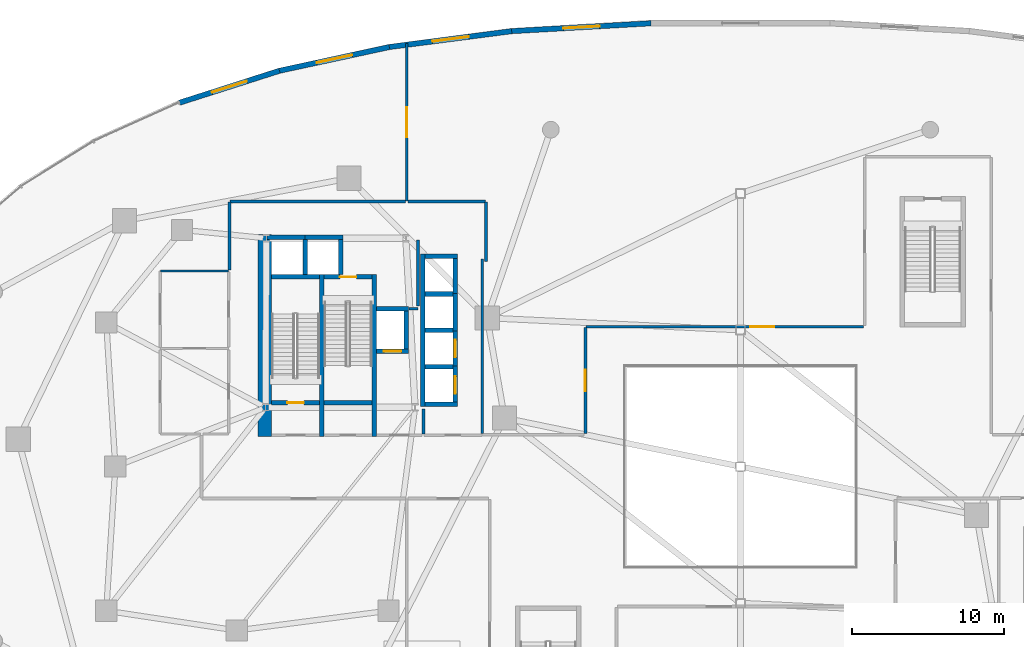
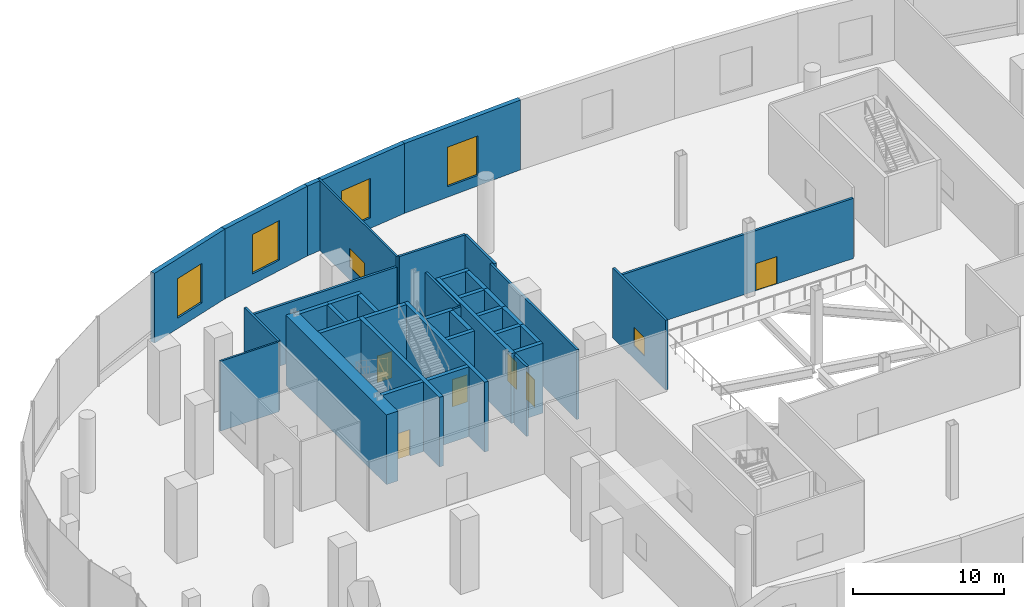
# One storey, part 13 of 20: 40 walls, 6 doors, 6 windows, 12 openings.
"""IFC4 building model written with IfcOpenShell, lengths in metres."""

from ifc_helpers import new_model, si_unit, direction, frame, frame_2d, origin, place, context, subcontext, project, spatial, rectangle, extrude, material, layer, layer_set, type_object, element, fill, save


model = new_model("IFC4")

# Units and contexts
model_context = context("Model", 3, precision=1e-05, world=origin(), true_north=direction((0.0, 1.0)))
body_context = subcontext(model_context, "Body", "Model", "MODEL_VIEW")
ifc_project = project(units=[si_unit("LENGTHUNIT", "METRE"), si_unit("AREAUNIT", "SQUARE_METRE"), si_unit("VOLUMEUNIT", "CUBIC_METRE"), si_unit("PLANEANGLEUNIT", "RADIAN"), si_unit("MASSUNIT", "GRAM", prefix="KILO"), si_unit("THERMODYNAMICTEMPERATUREUNIT", "KELVIN"), si_unit("POWERUNIT", "WATT")], contexts=[model_context])

# Site, building, storey
site_placement = place(None, origin())
site = spatial("IfcSite", under=ifc_project, at=site_placement, CompositionType="ELEMENT")
building_placement = place(site_placement, origin())
building = spatial("IfcBuilding", under=site, at=building_placement, Name="Cundina Bronze Exchange", CompositionType="ELEMENT")
storey_placement = place(building_placement, frame((0.0, 0.0, 6.0)))
storey = spatial("IfcBuildingStorey", under=building, at=storey_placement, Name="L01", CompositionType="ELEMENT", Elevation=6.0)

# Walls
ifc_material_1 = material(Name="Gypsum Fireboard Partition EI120")
ifc_layer_1 = layer(ifc_material_1, 0.179931640625, Name="Gypsum Fireboard Partition EI120")
ifc_layer_set_1 = layer_set([ifc_layer_1], Name="Gypsum Fireboard Partition EI120")
wall_type_1 = type_object("IfcWallType", Name="WL-COR-180", PredefinedType="PARTITIONING", material=ifc_layer_set_1)
wall_1_placement = place(storey_placement, frame((-20.889892578125, 2.14990234375, 0.0), z_axis=(0.0, 0.0, 1.0), x_axis=(0.0, 1.0, 0.0)))
element("IfcWall", 1, at=wall_1_placement, inside=storey, type_object=wall_type_1, Name="L01 W Firefighting Lobby Side Wall", PredefinedType="PARTITIONING", context=body_context, shape_type="SweptSolid", body=[
    extrude(rectangle(XDim=1.650146484375, YDim=0.179931640625, at=frame_2d((0.8251953125, 0.0))), origin(), (0.0, 0.0, 1.0), 5.64990234375),
])
wall_2_placement = place(storey_placement, frame((-17.02001953125, 2.169921875, 0.0), z_axis=(0.0, 0.0, 1.0), x_axis=(0.0, 1.0, 0.0)))
element("IfcWall", 2, at=wall_2_placement, inside=storey, type_object=wall_type_1, Name="L01 Interior Partition 001", PredefinedType="PARTITIONING", context=body_context, shape_type="SweptSolid", body=[
    extrude(rectangle(XDim=11.510009765625, YDim=0.179931640625, at=frame_2d((5.7548828125, 0.0))), origin(), (0.0, 0.0, 1.0), 5.64990234375),
])
wall_3_placement = place(storey_placement, frame((-21.25, 10.570068359375, 0.0), z_axis=(0.0, 0.0, 1.0), x_axis=(0.0, 1.0, 0.0)))
element("IfcWall", 3, at=wall_3_placement, inside=storey, type_object=wall_type_1, Name="L01 Interior Partition 004", PredefinedType="PARTITIONING", context=body_context, shape_type="SweptSolid", body=[
    extrude(rectangle(XDim=4.35986328125, YDim=0.179931640625, at=frame_2d((2.179931640625, 0.0))), origin(), (0.0, 0.0, 1.0), 5.64990234375),
])
wall_4_placement = place(storey_placement, frame((-22.094970703125, 17.469970703125, 0.0), z_axis=(0.0, 0.0, 1.0), x_axis=(-1.0, 0.0, 0.0)))
element("IfcWall", 4, at=wall_4_placement, inside=storey, type_object=wall_type_1, Name="L01 Interior Partition 033", PredefinedType="PARTITIONING", context=body_context, shape_type="SweptSolid", body=[
    extrude(rectangle(XDim=11.533447265625, YDim=0.179931640625, at=frame_2d((5.7666015625, 0.0))), origin(), (0.0, 0.0, 1.0), 4.876953125),
])
wall_5_placement = place(storey_placement, frame((-33.669921875, 17.428466796875, 0.0), z_axis=(0.0, 0.0, 1.0), x_axis=(0.0, -1.0, 0.0)))
element("IfcWall", 5, at=wall_5_placement, inside=storey, type_object=wall_type_1, Name="L01 Interior Partition 034", PredefinedType="PARTITIONING", context=body_context, shape_type="SweptSolid", body=[
    extrude(rectangle(XDim=4.47705078125, YDim=0.179931640625, at=frame_2d((2.238525390625, 0.0))), origin(), (0.0, 0.0, 1.0), 5.64990234375),
])

# Wall, opening, door
wall_6_placement = place(storey_placement, frame((8.10009765625, 9.219970703125, 0.0), z_axis=(0.0, 0.0, 1.0), x_axis=(-1.0, 0.0, 0.0)))
wall_6 = element("IfcWall", 6, at=wall_6_placement, inside=storey, type_object=wall_type_1, Name="L01 Interior Partition 041", PredefinedType="PARTITIONING", context=body_context, shape_type="SweptSolid", body=[
    extrude(rectangle(XDim=18.278564453125, YDim=0.179931640625, at=frame_2d((9.13916015625, 0.0))), origin(), (0.0, 0.0, 1.0), 4.876953125),
])
opening_1_placement = place(wall_6_placement, frame((5.87353515625, 0.0, 0.0)))
opening_1 = element("IfcOpeningElement", 7, at=opening_1_placement, cuts=wall_6, Name="Opening DO-02", PredefinedType="OPENING", context=body_context, shape_type="SweptSolid", body=[
    extrude(rectangle(XDim=1.60009765625, YDim=2.199951171875, at=frame_2d((0.800048828125, 1.10009765625))), frame((0.0, 0.099853515625, 0.0), z_axis=(0.0, -1.0, 0.0), x_axis=(1.0, 0.0, 0.0)), (0.0, 0.0, 1.0), 0.199951171875),
])
ifc_material_2 = material(Name="Solid Andean Oak Timber Grade A", Category="wood")
door_type_1 = type_object("IfcDoorType", Name="DR-TRD-1600", OperationType="NOTDEFINED", PredefinedType="DOOR", material=ifc_material_2)
door_1_placement = place(opening_1_placement, origin())
door_1 = element("IfcDoor", 8, at=door_1_placement, inside=storey, type_object=door_type_1, Name="L01 Interior Door 041", OperationType="SINGLE_SWING_RIGHT", OverallHeight=2.199951171875, OverallWidth=1.60009765625, PredefinedType="DOOR", context=body_context, shape_type="SweptSolid", body=[
    extrude(rectangle(XDim=1.60009765625, YDim=2.199951171875, at=frame_2d((0.800048828125, 1.10009765625))), frame((0.0, 0.02490234375, 0.0), z_axis=(0.0, -1.0, 0.0), x_axis=(1.0, 0.0, 0.0)), (0.0, 0.0, 1.0), 0.050048828125),
])
fill(opening_1, door_1)

# Wall, opening, window
wall_7_placement = place(storey_placement, frame((-10.219970703125, 9.178466796875, 0.0), z_axis=(0.0, 0.0, 1.0), x_axis=(0.0, -1.0, 0.0)))
wall_7 = element("IfcWall", 9, at=wall_7_placement, inside=storey, type_object=wall_type_1, Name="L01 Interior Partition 045", PredefinedType="PARTITIONING", context=body_context, shape_type="SweptSolid", body=[
    extrude(rectangle(XDim=6.99853515625, YDim=0.179931640625, at=frame_2d((3.499267578125, 0.0))), origin(), (0.0, 0.0, 1.0), 5.64990234375),
])
opening_2_placement = place(wall_7_placement, frame((2.799072265625, 0.0, 1.050048828125)))
opening_2 = element("IfcOpeningElement", 10, at=opening_2_placement, cuts=wall_7, Name="Opening WI-02", PredefinedType="OPENING", context=body_context, shape_type="SweptSolid", body=[
    extrude(rectangle(XDim=1.39990234375, YDim=1.5, at=frame_2d((0.699951171875, 0.75))), frame((0.0, 0.099853515625, 0.0), z_axis=(0.0, -1.0, 0.0), x_axis=(1.0, 0.0, 0.0)), (0.0, 0.0, 1.0), 0.199951171875),
])
ifc_material_3 = material(Name="Clear Low-E Insulating Glass 26mm", Category="glass")
window_type_1 = type_object("IfcWindowType", Name="WN-INT-1400", PartitioningType="SINGLE_PANEL", PredefinedType="WINDOW", material=ifc_material_3)
window_1_placement = place(opening_2_placement, origin())
window_1 = element("IfcWindow", 11, at=window_1_placement, inside=storey, type_object=window_type_1, Name="L01 Interior Acoustic Vision Window 045", OverallHeight=1.5, OverallWidth=1.39990234375, PartitioningType="SINGLE_PANEL", PredefinedType="WINDOW", context=body_context, shape_type="SweptSolid", body=[
    extrude(rectangle(XDim=1.39990234375, YDim=1.5, at=frame_2d((0.699951171875, 0.75))), frame((0.0, 0.030029296875, 0.0), z_axis=(0.0, -1.0, 0.0), x_axis=(1.0, 0.0, 0.0)), (0.0, 0.0, 1.0), 0.06005859375),
])
fill(opening_2, window_1)

# Walls
wall_8_placement = place(storey_placement, frame((-16.821533203125, 17.469970703125, 0.0), z_axis=(0.0, 0.0, 1.0), x_axis=(-1.0, 0.0, 0.0)))
element("IfcWall", 12, at=wall_8_placement, inside=storey, type_object=wall_type_1, Name="L01 Interior Partition 048", PredefinedType="PARTITIONING", context=body_context, shape_type="SweptSolid", body=[
    extrude(rectangle(XDim=5.08349609375, YDim=0.179931640625, at=frame_2d((2.541748046875, 0.0))), origin(), (0.0, 0.0, 1.0), 5.64990234375),
])
wall_9_placement = place(storey_placement, frame((-16.780029296875, 13.521484375, 0.0), z_axis=(0.0, 0.0, 1.0), x_axis=(0.0, 1.0, 0.0)))
element("IfcWall", 13, at=wall_9_placement, inside=storey, type_object=wall_type_1, Name="L01 Interior Partition 049", PredefinedType="PARTITIONING", context=body_context, shape_type="SweptSolid", body=[
    extrude(rectangle(XDim=3.906982421875, YDim=0.179931640625, at=frame_2d((1.95361328125, 0.0))), origin(), (0.0, 0.0, 1.0), 5.64990234375),
])
ifc_material_4 = material(Name="Concrete C60/75", Category="concrete")
ifc_layer_2 = layer(ifc_material_4, 0.89990234375, Name="Concrete C60/75", Category="concrete")
ifc_layer_set_2 = layer_set([ifc_layer_2], Name="Concrete C60/75")
wall_type_2 = type_object("IfcWallType", Name="WL-CORE-900", PredefinedType="SHEAR", material=ifc_layer_set_2)
wall_10_placement = place(storey_placement, frame((-31.35009765625, 1.969970703125, 0.0), z_axis=(0.0, 0.0, 1.0), x_axis=(0.0, 1.0, 0.0)))
element("IfcWall", 14, at=wall_10_placement, inside=storey, type_object=wall_type_2, Name="L01 W Primary Core Shear Spine Wall", PredefinedType="SHEAR", context=body_context, shape_type="SweptSolid", body=[
    extrude(rectangle(XDim=13.330078125, YDim=0.89990234375, at=frame_2d((6.6650390625, 0.0))), origin(), (0.0, 0.0, 1.0), 5.64990234375),
])

# Wall, opening, window
ifc_material_5 = material(Name="Concrete C40/50", Category="concrete")
ifc_layer_3 = layer(ifc_material_5, 0.35009765625, Name="Concrete C40/50", Category="concrete")
ifc_layer_set_3 = layer_set([ifc_layer_3], Name="Concrete C40/50")
wall_type_3 = type_object("IfcWallType", Name="WL-EXT-350", PredefinedType="SOLIDWALL", material=ifc_layer_set_3)
wall_11_placement = place(storey_placement, frame((-5.892578125, 29.21630859375, 0.0), z_axis=(0.0, 0.0, 1.0), x_axis=(-0.998413463137, -0.056307695976, 0.0)))
wall_11 = element("IfcWall", 15, at=wall_11_placement, inside=storey, type_object=wall_type_3, Name="L01 Podium Exterior Wall 11", PredefinedType="SOLIDWALL", context=body_context, shape_type="SweptSolid", body=[
    extrude(rectangle(XDim=9.20068359375, YDim=0.35009765625, at=frame_2d((4.600341796875, 0.0))), origin(), (0.0, 0.0, 1.0), 5.64990234375),
])
opening_3_placement = place(wall_11_placement, frame((3.39990234375, 0.0, 0.85009765625)))
opening_3 = element("IfcOpeningElement", 16, at=opening_3_placement, cuts=wall_11, Name="Opening W-01", PredefinedType="OPENING", context=body_context, shape_type="SweptSolid", body=[
    extrude(rectangle(XDim=2.39990234375, YDim=3.199951171875, at=frame_2d((1.199951171875, 1.60009765625))), frame((0.0, 0.18505859375, 0.0), z_axis=(0.0, -1.0, 0.0), x_axis=(1.0, 0.0, 0.0)), (0.0, 0.0, 1.0), 0.3701171875),
])
ifc_material_6 = material(Name="Heat-Strengthened Solar-Control Bronze Safety Glass 28mm", Category="glass")
window_type_2 = type_object("IfcWindowType", Name="WN-POD-2400", PartitioningType="SINGLE_PANEL", PredefinedType="WINDOW", material=ifc_material_6)
window_2_placement = place(opening_3_placement, origin())
window_2 = element("IfcWindow", 17, at=window_2_placement, inside=storey, type_object=window_type_2, Name="L01 Podium Punched Window 11", OverallHeight=3.199951171875, OverallWidth=2.39990234375, PartitioningType="SINGLE_PANEL", PredefinedType="WINDOW", context=body_context, shape_type="SweptSolid", body=[
    extrude(rectangle(XDim=2.39990234375, YDim=3.199951171875, at=frame_2d((1.199951171875, 1.60009765625))), frame((0.0, 0.030029296875, 0.0), z_axis=(0.0, -1.0, 0.0), x_axis=(1.0, 0.0, 0.0)), (0.0, 0.0, 1.0), 0.06005859375),
])
fill(opening_3, window_2)

wall_12_placement = place(storey_placement, frame((-15.07861328125, 28.6982421875, 0.0), z_axis=(0.0, 0.0, 1.0), x_axis=(-0.991688106477, -0.128665067026, 0.0)))
wall_12 = element("IfcWall", 18, at=wall_12_placement, inside=storey, type_object=wall_type_3, Name="L01 Podium Exterior Wall 12", PredefinedType="SOLIDWALL", context=body_context, shape_type="SweptSolid", body=[
    extrude(rectangle(XDim=8.12890625, YDim=0.35009765625, at=frame_2d((4.064453125, 0.0))), origin(), (0.0, 0.0, 1.0), 5.64990234375),
])
opening_4_placement = place(wall_12_placement, frame((2.864013671875, 0.0, 0.85009765625)))
opening_4 = element("IfcOpeningElement", 19, at=opening_4_placement, cuts=wall_12, Name="Opening W-01", PredefinedType="OPENING", context=body_context, shape_type="SweptSolid", body=[
    extrude(rectangle(XDim=2.39990234375, YDim=3.199951171875, at=frame_2d((1.199951171875, 1.60009765625))), frame((0.0, 0.18505859375, 0.0), z_axis=(0.0, -1.0, 0.0), x_axis=(1.0, 0.0, 0.0)), (0.0, 0.0, 1.0), 0.3701171875),
])
window_3_placement = place(opening_4_placement, origin())
window_3 = element("IfcWindow", 20, at=window_3_placement, inside=storey, type_object=window_type_2, Name="L01 Podium Punched Window 12", OverallHeight=3.199951171875, OverallWidth=2.39990234375, PartitioningType="SINGLE_PANEL", PredefinedType="WINDOW", context=body_context, shape_type="SweptSolid", body=[
    extrude(rectangle(XDim=2.39990234375, YDim=3.199951171875, at=frame_2d((1.199951171875, 1.60009765625))), frame((0.0, 0.030029296875, 0.0), z_axis=(0.0, -1.0, 0.0), x_axis=(1.0, 0.0, 0.0)), (0.0, 0.0, 1.0), 0.06005859375),
])
fill(opening_4, window_3)

wall_13_placement = place(storey_placement, frame((-23.139892578125, 27.65234375, 0.0), z_axis=(0.0, 0.0, 1.0), x_axis=(-0.977456656467, -0.211136175795, 0.0)))
wall_13 = element("IfcWall", 21, at=wall_13_placement, inside=storey, type_object=wall_type_3, Name="L01 Podium Exterior Wall 13", PredefinedType="SOLIDWALL", context=body_context, shape_type="SweptSolid", body=[
    extrude(rectangle(XDim=7.40625, YDim=0.35009765625, at=frame_2d((3.703125, 0.0))), origin(), (0.0, 0.0, 1.0), 5.64990234375),
])
opening_5_placement = place(wall_13_placement, frame((2.5029296875, 0.0, 0.85009765625)))
opening_5 = element("IfcOpeningElement", 22, at=opening_5_placement, cuts=wall_13, Name="Opening W-01", PredefinedType="OPENING", context=body_context, shape_type="SweptSolid", body=[
    extrude(rectangle(XDim=2.39990234375, YDim=3.199951171875, at=frame_2d((1.199951171875, 1.60009765625))), frame((0.0, 0.18505859375, 0.0), z_axis=(0.0, -1.0, 0.0), x_axis=(1.0, 0.0, 0.0)), (0.0, 0.0, 1.0), 0.3701171875),
])
window_4_placement = place(opening_5_placement, origin())
window_4 = element("IfcWindow", 23, at=window_4_placement, inside=storey, type_object=window_type_2, Name="L01 Podium Punched Window 13", OverallHeight=3.199951171875, OverallWidth=2.39990234375, PartitioningType="SINGLE_PANEL", PredefinedType="WINDOW", context=body_context, shape_type="SweptSolid", body=[
    extrude(rectangle(XDim=2.39990234375, YDim=3.199951171875, at=frame_2d((1.199951171875, 1.60009765625))), frame((0.0, 0.030029296875, 0.0), z_axis=(0.0, -1.0, 0.0), x_axis=(1.0, 0.0, 0.0)), (0.0, 0.0, 1.0), 0.06005859375),
])
fill(opening_5, window_4)

wall_14_placement = place(storey_placement, frame((-30.379150390625, 26.088623046875, 0.0), z_axis=(0.0, 0.0, 1.0), x_axis=(-0.952587993211, -0.304263233385, 0.0)))
wall_14 = element("IfcWall", 24, at=wall_14_placement, inside=storey, type_object=wall_type_3, Name="L01 Podium Exterior Wall 14", PredefinedType="SOLIDWALL", context=body_context, shape_type="SweptSolid", body=[
    extrude(rectangle(XDim=6.931884765625, YDim=0.35009765625, at=frame_2d((3.4658203125, 0.0))), origin(), (0.0, 0.0, 1.0), 5.64990234375),
])
opening_6_placement = place(wall_14_placement, frame((2.26611328125, 0.0, 0.85009765625)))
opening_6 = element("IfcOpeningElement", 25, at=opening_6_placement, cuts=wall_14, Name="Opening W-01", PredefinedType="OPENING", context=body_context, shape_type="SweptSolid", body=[
    extrude(rectangle(XDim=2.39990234375, YDim=3.199951171875, at=frame_2d((1.199951171875, 1.60009765625))), frame((0.0, 0.18505859375, 0.0), z_axis=(0.0, -1.0, 0.0), x_axis=(1.0, 0.0, 0.0)), (0.0, 0.0, 1.0), 0.3701171875),
])
window_5_placement = place(opening_6_placement, origin())
window_5 = element("IfcWindow", 26, at=window_5_placement, inside=storey, type_object=window_type_2, Name="L01 Podium Punched Window 14", OverallHeight=3.199951171875, OverallWidth=2.39990234375, PartitioningType="SINGLE_PANEL", PredefinedType="WINDOW", context=body_context, shape_type="SweptSolid", body=[
    extrude(rectangle(XDim=2.39990234375, YDim=3.199951171875, at=frame_2d((1.199951171875, 1.60009765625))), frame((0.0, 0.030029296875, 0.0), z_axis=(0.0, -1.0, 0.0), x_axis=(1.0, 0.0, 0.0)), (0.0, 0.0, 1.0), 0.06005859375),
])
fill(opening_6, window_5)

# Walls
ifc_material_7 = material(Name="Concrete C50/60", Category="concrete")
ifc_layer_4 = layer(ifc_material_7, 0.300048828125, Name="Concrete C50/60", Category="concrete")
ifc_layer_set_4 = layer_set([ifc_layer_4], Name="Concrete C50/60")
wall_type_4 = type_object("IfcWallType", Name="WL-SHFT-300", PredefinedType="SHEAR", material=ifc_layer_set_4)
for number, where, z_axis, x_axis, name in (
    (27, (-27.590087890625, 1.969970703125, 0.0), (0.0, 0.0, 1.0), (0.0, 1.0, 0.0), "L01 W Stair Shaft Dividing Shear Wall"),
    (28, (-24.1298828125, 1.969970703125, 0.0), (0.0, 0.0, 1.0), (0.0, 1.0, 0.0), "L01 W Stair 2 East Shear Wall"),
):
    element("IfcWall", number, at=place(storey_placement, frame(where, z_axis=z_axis, x_axis=x_axis)), inside=storey, type_object=wall_type_4, Name=name, PredefinedType="SHEAR", context=body_context, shape_type="SweptSolid", body=[
        extrude(rectangle(XDim=10.679931640625, YDim=0.300048828125, at=frame_2d((5.33984375, 0.0))), origin(), (0.0, 0.0, 1.0), 5.64990234375),
    ])

# Wall, opening, door
wall_15_placement = place(storey_placement, frame((-30.89990234375, 4.199951171875, 0.0), z_axis=(0.0, 0.0, 1.0), x_axis=(1.0, 0.0, 0.0)))
wall_15 = element("IfcWall", 29, at=wall_15_placement, inside=storey, type_object=wall_type_4, Name="L01 Stair W1 Landing Wall", PredefinedType="SHEAR", context=body_context, shape_type="SweptSolid", body=[
    extrude(rectangle(XDim=3.159912109375, YDim=0.300048828125, at=frame_2d((1.580078125, 0.0))), origin(), (0.0, 0.0, 1.0), 5.64990234375),
])
opening_7_placement = place(wall_15_placement, frame((1.030029296875, 0.0, 0.0)))
opening_7 = element("IfcOpeningElement", 30, at=opening_7_placement, cuts=wall_15, Name="Opening DS-01", PredefinedType="OPENING", context=body_context, shape_type="SweptSolid", body=[
    extrude(rectangle(XDim=1.10009765625, YDim=2.14990234375, at=frame_2d((0.550048828125, 1.074951171875))), frame((0.0, 0.159912109375, 0.0), z_axis=(0.0, -1.0, 0.0), x_axis=(1.0, 0.0, 0.0)), (0.0, 0.0, 1.0), 0.320068359375),
])
ifc_material_8 = material(Name="Steel ASTM A36 Painted", Category="steel")
door_type_2 = type_object("IfcDoorType", Name="DR-STR-1100", OperationType="NOTDEFINED", PredefinedType="DOOR", material=ifc_material_8)
door_2_placement = place(opening_7_placement, origin())
door_2 = element("IfcDoor", 31, at=door_2_placement, inside=storey, type_object=door_type_2, Name="L01 Smokeproof Stair W1 Door", OperationType="SINGLE_SWING_RIGHT", OverallHeight=2.14990234375, OverallWidth=1.10009765625, PredefinedType="DOOR", context=body_context, shape_type="SweptSolid", body=[
    extrude(rectangle(XDim=1.10009765625, YDim=2.14990234375, at=frame_2d((0.550048828125, 1.074951171875))), frame((0.0, 0.02490234375, 0.0), z_axis=(0.0, -1.0, 0.0), x_axis=(1.0, 0.0, 0.0)), (0.0, 0.0, 1.0), 0.050048828125),
])
fill(opening_7, door_2)

# Wall
wall_16_placement = place(storey_placement, frame((-30.89990234375, 12.5, 0.0), z_axis=(0.0, 0.0, 1.0), x_axis=(1.0, 0.0, 0.0)))
element("IfcWall", 32, at=wall_16_placement, inside=storey, type_object=wall_type_4, Name="L01 Stair W1 Far Shaft Wall", PredefinedType="SHEAR", context=body_context, shape_type="SweptSolid", body=[
    extrude(rectangle(XDim=3.159912109375, YDim=0.300048828125, at=frame_2d((1.580078125, 0.0))), origin(), (0.0, 0.0, 1.0), 5.64990234375),
])

# Wall, opening, door
wall_17_placement = place(storey_placement, frame((-27.43994140625, 12.5, 0.0), z_axis=(0.0, 0.0, 1.0), x_axis=(1.0, 0.0, 0.0)))
wall_17 = element("IfcWall", 33, at=wall_17_placement, inside=storey, type_object=wall_type_4, Name="L01 Stair W2 Landing Wall", PredefinedType="SHEAR", context=body_context, shape_type="SweptSolid", body=[
    extrude(rectangle(XDim=3.159912109375, YDim=0.300048828125, at=frame_2d((1.580078125, 0.0))), origin(), (0.0, 0.0, 1.0), 5.64990234375),
])
opening_8_placement = place(wall_17_placement, frame((1.030029296875, 0.0, 0.0)))
opening_8 = element("IfcOpeningElement", 34, at=opening_8_placement, cuts=wall_17, Name="Opening DS-01", PredefinedType="OPENING", context=body_context, shape_type="SweptSolid", body=[
    extrude(rectangle(XDim=1.10009765625, YDim=2.14990234375, at=frame_2d((0.550048828125, 1.074951171875))), frame((0.0, 0.159912109375, 0.0), z_axis=(0.0, -1.0, 0.0), x_axis=(1.0, 0.0, 0.0)), (0.0, 0.0, 1.0), 0.320068359375),
])
door_3_placement = place(opening_8_placement, origin())
door_3 = element("IfcDoor", 35, at=door_3_placement, inside=storey, type_object=door_type_2, Name="L01 Smokeproof Stair W2 Door", OperationType="SINGLE_SWING_LEFT", OverallHeight=2.14990234375, OverallWidth=1.10009765625, PredefinedType="DOOR", context=body_context, shape_type="SweptSolid", body=[
    extrude(rectangle(XDim=1.10009765625, YDim=2.14990234375, at=frame_2d((0.550048828125, 1.074951171875))), frame((0.0, 0.02490234375, 0.0), z_axis=(0.0, -1.0, 0.0), x_axis=(1.0, 0.0, 0.0)), (0.0, 0.0, 1.0), 0.050048828125),
])
fill(opening_8, door_3)

# Wall
wall_18_placement = place(storey_placement, frame((-27.43994140625, 4.199951171875, 0.0), z_axis=(0.0, 0.0, 1.0), x_axis=(1.0, 0.0, 0.0)))
element("IfcWall", 36, at=wall_18_placement, inside=storey, type_object=wall_type_4, Name="L01 Stair W2 Far Shaft Wall", PredefinedType="SHEAR", context=body_context, shape_type="SweptSolid", body=[
    extrude(rectangle(XDim=3.159912109375, YDim=0.300048828125, at=frame_2d((1.580078125, 0.0))), origin(), (0.0, 0.0, 1.0), 5.64990234375),
])

# Wall, opening, door
wall_19_placement = place(storey_placement, frame((-23.97998046875, 7.60009765625, 0.0), z_axis=(0.0, 0.0, 1.0), x_axis=(1.0, 0.0, 0.0)))
wall_19 = element("IfcWall", 37, at=wall_19_placement, inside=storey, type_object=wall_type_4, Name="L01 FFL-W Hoistway Front Wall", PredefinedType="SHEAR", context=body_context, shape_type="SweptSolid", body=[
    extrude(rectangle(XDim=2.10009765625, YDim=0.300048828125, at=frame_2d((1.050048828125, 0.0))), origin(), (0.0, 0.0, 1.0), 5.64990234375),
])
opening_9_placement = place(wall_19_placement, frame((0.47509765625, 0.0, 0.0)))
opening_9 = element("IfcOpeningElement", 38, at=opening_9_placement, cuts=wall_19, Name="Opening LD-01", PredefinedType="OPENING", context=body_context, shape_type="SweptSolid", body=[
    extrude(rectangle(XDim=1.14990234375, YDim=2.199951171875, at=frame_2d((0.574951171875, 1.10009765625))), frame((0.0, 0.159912109375, 0.0), z_axis=(0.0, -1.0, 0.0), x_axis=(1.0, 0.0, 0.0)), (0.0, 0.0, 1.0), 0.320068359375),
])
door_type_3 = type_object("IfcDoorType", Name="DR-LND-1150", OperationType="NOTDEFINED", PredefinedType="TRAPDOOR", material=ifc_material_8)
door_4_placement = place(opening_9_placement, origin())
door_4 = element("IfcDoor", 39, at=door_4_placement, inside=storey, type_object=door_type_3, Name="L01 FFL-W Sliding Landing Door", OperationType="SLIDING_TO_LEFT", OverallHeight=2.199951171875, OverallWidth=1.14990234375, PredefinedType="TRAPDOOR", context=body_context, shape_type="SweptSolid", body=[
    extrude(rectangle(XDim=1.14990234375, YDim=2.199951171875, at=frame_2d((0.574951171875, 1.10009765625))), frame((0.0, 0.02490234375, 0.0), z_axis=(0.0, -1.0, 0.0), x_axis=(1.0, 0.0, 0.0)), (0.0, 0.0, 1.0), 0.050048828125),
])
fill(opening_9, door_4)

# Walls
wall_20_placement = place(storey_placement, frame((-23.97998046875, 10.39990234375, 0.0), z_axis=(0.0, 0.0, 1.0), x_axis=(1.0, 0.0, 0.0)))
element("IfcWall", 40, at=wall_20_placement, inside=storey, type_object=wall_type_4, Name="L01 FFL-W Hoistway Back Wall", PredefinedType="SHEAR", context=body_context, shape_type="SweptSolid", body=[
    extrude(rectangle(XDim=2.10009765625, YDim=0.300048828125, at=frame_2d((1.050048828125, 0.0))), origin(), (0.0, 0.0, 1.0), 5.64990234375),
])
for number, where, z_axis, x_axis, name in (
    (41, (-22.030029296875, 7.75, 0.0), (0.0, 0.0, 1.0), (0.0, 1.0, 0.0), "L01 FFL-W Hoistway Side Wall"),
    (42, (-31.199951171875, 15.10009765625, 0.0), (0.0, 0.0, 1.0), (1.0, 0.0, 0.0), "L01 PH-W1 Hoistway Front Wall"),
):
    element("IfcWall", number, at=place(storey_placement, frame(where, z_axis=z_axis, x_axis=x_axis)), inside=storey, type_object=wall_type_4, Name=name, PredefinedType="SHEAR", context=body_context, shape_type="SweptSolid", body=[
        extrude(rectangle(XDim=2.5, YDim=0.300048828125, at=frame_2d((1.25, 0.0))), origin(), (0.0, 0.0, 1.0), 5.64990234375),
    ])
wall_21_placement = place(storey_placement, frame((-28.699951171875, 12.64990234375, 0.0), z_axis=(0.0, 0.0, 1.0), x_axis=(0.0, 1.0, 0.0)))
element("IfcWall", 43, at=wall_21_placement, inside=storey, type_object=wall_type_4, Name="L01 PH-W1 Hoistway Divider Wall", PredefinedType="SHEAR", context=body_context, shape_type="SweptSolid", body=[
    extrude(rectangle(XDim=2.300048828125, YDim=0.300048828125, at=frame_2d((1.14990234375, 0.0))), origin(), (0.0, 0.0, 1.0), 5.64990234375),
])
wall_22_placement = place(storey_placement, frame((-28.699951171875, 15.10009765625, 0.0), z_axis=(0.0, 0.0, 1.0), x_axis=(1.0, 0.0, 0.0)))
element("IfcWall", 44, at=wall_22_placement, inside=storey, type_object=wall_type_4, Name="L01 PH-W2 Hoistway Front Wall", PredefinedType="SHEAR", context=body_context, shape_type="SweptSolid", body=[
    extrude(rectangle(XDim=2.5, YDim=0.300048828125, at=frame_2d((1.25, 0.0))), origin(), (0.0, 0.0, 1.0), 5.64990234375),
])
wall_23_placement = place(storey_placement, frame((-26.35009765625, 12.64990234375, 0.0), z_axis=(0.0, 0.0, 1.0), x_axis=(0.0, 1.0, 0.0)))
element("IfcWall", 45, at=wall_23_placement, inside=storey, type_object=wall_type_4, Name="L01 PH-W2 Hoistway Divider Wall", PredefinedType="SHEAR", context=body_context, shape_type="SweptSolid", body=[
    extrude(rectangle(XDim=2.300048828125, YDim=0.300048828125, at=frame_2d((1.14990234375, 0.0))), origin(), (0.0, 0.0, 1.0), 5.64990234375),
])
wall_24_placement = place(storey_placement, frame((-20.949951171875, 3.949951171875, 0.0), z_axis=(0.0, 0.0, 1.0), x_axis=(0.0, 1.0, 0.0)))
element("IfcWall", 46, at=wall_24_placement, inside=storey, type_object=wall_type_4, Name="L01 W Passenger Bank Hoistway Back Wall", PredefinedType="SHEAR", context=body_context, shape_type="SweptSolid", body=[
    extrude(rectangle(XDim=10.050048828125, YDim=0.300048828125, at=frame_2d((5.02490234375, 0.0))), origin(), (0.0, 0.0, 1.0), 5.64990234375),
])
for number, where, z_axis, x_axis, name in (
    (47, (-20.800048828125, 4.10009765625, 0.0), (0.0, 0.0, 1.0), (1.0, 0.0, 0.0), "L01 W Passenger Bank South Cap Wall"),
    (48, (-20.800048828125, 13.85009765625, 0.0), (0.0, 0.0, 1.0), (1.0, 0.0, 0.0), "L01 W Passenger Bank North Cap Wall"),
):
    element("IfcWall", number, at=place(storey_placement, frame(where, z_axis=z_axis, x_axis=x_axis)), inside=storey, type_object=wall_type_4, Name=name, PredefinedType="SHEAR", context=body_context, shape_type="SweptSolid", body=[
        extrude(rectangle(XDim=2.150146484375, YDim=0.300048828125, at=frame_2d((1.0751953125, 0.0))), origin(), (0.0, 0.0, 1.0), 5.64990234375),
    ])
for number, where, z_axis, x_axis, name in (
    (49, (-20.800048828125, 6.574951171875, 0.0), (0.0, 0.0, 1.0), (1.0, 0.0, 0.0), "L01 W Passenger Hoistway Divider 1"),
    (50, (-20.800048828125, 8.97509765625, 0.0), (0.0, 0.0, 1.0), (1.0, 0.0, 0.0), "L01 W Passenger Hoistway Divider 2"),
    (51, (-20.800048828125, 11.375, 0.0), (0.0, 0.0, 1.0), (1.0, 0.0, 0.0), "L01 W Passenger Hoistway Divider 3"),
):
    element("IfcWall", number, at=place(storey_placement, frame(where, z_axis=z_axis, x_axis=x_axis)), inside=storey, type_object=wall_type_4, Name=name, PredefinedType="SHEAR", context=body_context, shape_type="SweptSolid", body=[
        extrude(rectangle(XDim=1.85009765625, YDim=0.300048828125, at=frame_2d((0.925048828125, 0.0))), origin(), (0.0, 0.0, 1.0), 5.64990234375),
    ])

# Wall, opening, door
wall_25_placement = place(storey_placement, frame((-18.800048828125, 4.1298828125, 0.0), z_axis=(0.0, 0.0, 1.0), x_axis=(0.0, 1.0, 0.0)))
wall_25 = element("IfcWall", 52, at=wall_25_placement, inside=storey, type_object=wall_type_4, Name="L01 PL-W2 Hoistway Front Wall", PredefinedType="SHEAR", context=body_context, shape_type="SweptSolid", body=[
    extrude(rectangle(XDim=2.490234375, YDim=0.300048828125, at=frame_2d((1.2451171875, 0.0))), origin(), (0.0, 0.0, 1.0), 5.64990234375),
])
opening_10_placement = place(wall_25_placement, frame((0.669921875, 0.0, 0.0)))
opening_10 = element("IfcOpeningElement", 53, at=opening_10_placement, cuts=wall_25, Name="Opening LD-01", PredefinedType="OPENING", context=body_context, shape_type="SweptSolid", body=[
    extrude(rectangle(XDim=1.14990234375, YDim=2.199951171875, at=frame_2d((0.574951171875, 1.10009765625))), frame((0.0, 0.159912109375, 0.0), z_axis=(0.0, -1.0, 0.0), x_axis=(1.0, 0.0, 0.0)), (0.0, 0.0, 1.0), 0.320068359375),
])
door_5_placement = place(opening_10_placement, origin())
door_5 = element("IfcDoor", 54, at=door_5_placement, inside=storey, type_object=door_type_3, Name="L01 PL-W2 Sliding Landing Door", OperationType="SLIDING_TO_LEFT", OverallHeight=2.199951171875, OverallWidth=1.14990234375, PredefinedType="TRAPDOOR", context=body_context, shape_type="SweptSolid", body=[
    extrude(rectangle(XDim=1.14990234375, YDim=2.199951171875, at=frame_2d((0.574951171875, 1.10009765625))), frame((0.0, 0.02490234375, 0.0), z_axis=(0.0, -1.0, 0.0), x_axis=(1.0, 0.0, 0.0)), (0.0, 0.0, 1.0), 0.050048828125),
])
fill(opening_10, door_5)

wall_26_placement = place(storey_placement, frame((-18.800048828125, 6.530029296875, 0.0), z_axis=(0.0, 0.0, 1.0), x_axis=(0.0, 1.0, 0.0)))
wall_26 = element("IfcWall", 55, at=wall_26_placement, inside=storey, type_object=wall_type_4, Name="L01 PL-W1 Hoistway Front Wall", PredefinedType="SHEAR", context=body_context, shape_type="SweptSolid", body=[
    extrude(rectangle(XDim=2.489990234375, YDim=0.300048828125, at=frame_2d((1.2451171875, 0.0))), origin(), (0.0, 0.0, 1.0), 5.64990234375),
])
opening_11_placement = place(wall_26_placement, frame((0.669921875, 0.0, 0.0)))
opening_11 = element("IfcOpeningElement", 56, at=opening_11_placement, cuts=wall_26, Name="Opening LD-01", PredefinedType="OPENING", context=body_context, shape_type="SweptSolid", body=[
    extrude(rectangle(XDim=1.14990234375, YDim=2.199951171875, at=frame_2d((0.574951171875, 1.10009765625))), frame((0.0, 0.159912109375, 0.0), z_axis=(0.0, -1.0, 0.0), x_axis=(1.0, 0.0, 0.0)), (0.0, 0.0, 1.0), 0.320068359375),
])
door_6_placement = place(opening_11_placement, origin())
door_6 = element("IfcDoor", 57, at=door_6_placement, inside=storey, type_object=door_type_3, Name="L01 PL-W1 Sliding Landing Door", OperationType="SLIDING_TO_LEFT", OverallHeight=2.199951171875, OverallWidth=1.14990234375, PredefinedType="TRAPDOOR", context=body_context, shape_type="SweptSolid", body=[
    extrude(rectangle(XDim=1.14990234375, YDim=2.199951171875, at=frame_2d((0.574951171875, 1.10009765625))), frame((0.0, 0.02490234375, 0.0), z_axis=(0.0, -1.0, 0.0), x_axis=(1.0, 0.0, 0.0)), (0.0, 0.0, 1.0), 0.050048828125),
])
fill(opening_11, door_6)

# Walls
for number, where, z_axis, x_axis, name in (
    (58, (-18.800048828125, 8.929931640625, 0.0), (0.0, 0.0, 1.0), (0.0, 1.0, 0.0), "L01 PM-W2 Hoistway Front Wall"),
    (59, (-18.800048828125, 11.330078125, 0.0), (0.0, 0.0, 1.0), (0.0, 1.0, 0.0), "L01 PM-W1 Hoistway Front Wall"),
):
    element("IfcWall", number, at=place(storey_placement, frame(where, z_axis=z_axis, x_axis=x_axis)), inside=storey, type_object=wall_type_4, Name=name, PredefinedType="SHEAR", context=body_context, shape_type="SweptSolid", body=[
        extrude(rectangle(XDim=2.489990234375, YDim=0.300048828125, at=frame_2d((1.2451171875, 0.0))), origin(), (0.0, 0.0, 1.0), 5.64990234375),
    ])

# Wall, opening, window
ifc_material_9 = material(Name="Gypsum Acoustic Partition EI60")
ifc_layer_5 = layer(ifc_material_9, 0.14990234375, Name="Gypsum Acoustic Partition EI60")
ifc_layer_set_5 = layer_set([ifc_layer_5], Name="Gypsum Acoustic Partition EI60")
wall_type_5 = type_object("IfcWallType", Name="WL-TEN-150", PredefinedType="PARTITIONING", material=ifc_layer_set_5)
wall_27_placement = place(storey_placement, frame((-22.0, 17.5, 0.0), z_axis=(0.0, 0.0, 1.0), x_axis=(0.0, 1.0, 0.0)))
wall_27 = element("IfcWall", 60, at=wall_27_placement, inside=storey, type_object=wall_type_5, Name="L01 Interior Partition 020", PredefinedType="PARTITIONING", context=body_context, shape_type="SweptSolid", body=[
    extrude(rectangle(XDim=10.3798828125, YDim=0.14990234375, at=frame_2d((5.18994140625, 0.0))), origin(), (0.0, 0.0, 1.0), 5.64990234375),
])
opening_12_placement = place(wall_27_placement, frame((4.18994140625, 0.0, 1.050048828125)))
opening_12 = element("IfcOpeningElement", 61, at=opening_12_placement, cuts=wall_27, Name="Opening WI-01", PredefinedType="OPENING", context=body_context, shape_type="SweptSolid", body=[
    extrude(rectangle(XDim=2.0, YDim=1.5, at=frame_2d((1.0, 0.75))), frame((0.0, 0.0849609375, 0.0), z_axis=(0.0, -1.0, 0.0), x_axis=(1.0, 0.0, 0.0)), (0.0, 0.0, 1.0), 0.169921875),
])
window_type_3 = type_object("IfcWindowType", Name="WN-INT-2000", PartitioningType="SINGLE_PANEL", PredefinedType="WINDOW", material=ifc_material_3)
window_6_placement = place(opening_12_placement, origin())
window_6 = element("IfcWindow", 62, at=window_6_placement, inside=storey, type_object=window_type_3, Name="L01 Interior Acoustic Vision Window 020", OverallHeight=1.5, OverallWidth=2.0, PartitioningType="SINGLE_PANEL", PredefinedType="WINDOW", context=body_context, shape_type="SweptSolid", body=[
    extrude(rectangle(XDim=2.0, YDim=1.5, at=frame_2d((1.0, 0.75))), frame((0.0, 0.030029296875, 0.0), z_axis=(0.0, -1.0, 0.0), x_axis=(1.0, 0.0, 0.0)), (0.0, 0.0, 1.0), 0.06005859375),
])
fill(opening_12, window_6)

# Walls
ifc_material_10 = material(Name="Moisture-Resistant Masonry Block Grade M15", Category="masonry")
ifc_layer_6 = layer(ifc_material_10, 0.139892578125, Name="Moisture-Resistant Masonry Block Grade M15", Category="masonry")
ifc_layer_set_6 = layer_set([ifc_layer_6], Name="Moisture-Resistant Masonry Block Grade M15")
wall_type_6 = type_object("IfcWallType", Name="WL-WET-140", PredefinedType="PARTITIONING", material=ifc_layer_set_6)
wall_28_placement = place(storey_placement, frame((-21.860107421875, 10.39990234375, 0.0), z_axis=(0.0, 0.0, 1.0), x_axis=(1.0, 0.0, 0.0)))
element("IfcWall", 63, at=wall_28_placement, inside=storey, type_object=wall_type_6, Name="L01 Interior Partition 003", PredefinedType="PARTITIONING", context=body_context, shape_type="SweptSolid", body=[
    extrude(rectangle(XDim=0.590087890625, YDim=0.139892578125, at=frame_2d((0.294921875, 0.0))), origin(), (0.0, 0.0, 1.0), 5.64990234375),
])
wall_29_placement = place(storey_placement, frame((-38.219970703125, 12.89990234375, 0.0), z_axis=(0.0, 0.0, 1.0), x_axis=(1.0, 0.0, 0.0)))
element("IfcWall", 64, at=wall_29_placement, inside=storey, type_object=wall_type_6, Name="L01 Interior Partition 016", PredefinedType="PARTITIONING", context=body_context, shape_type="SweptSolid", body=[
    extrude(rectangle(XDim=4.47998046875, YDim=0.139892578125, at=frame_2d((2.239990234375, 0.0))), origin(), (0.0, 0.0, 1.0), 5.64990234375),
])

save(model, "model.ifc")
